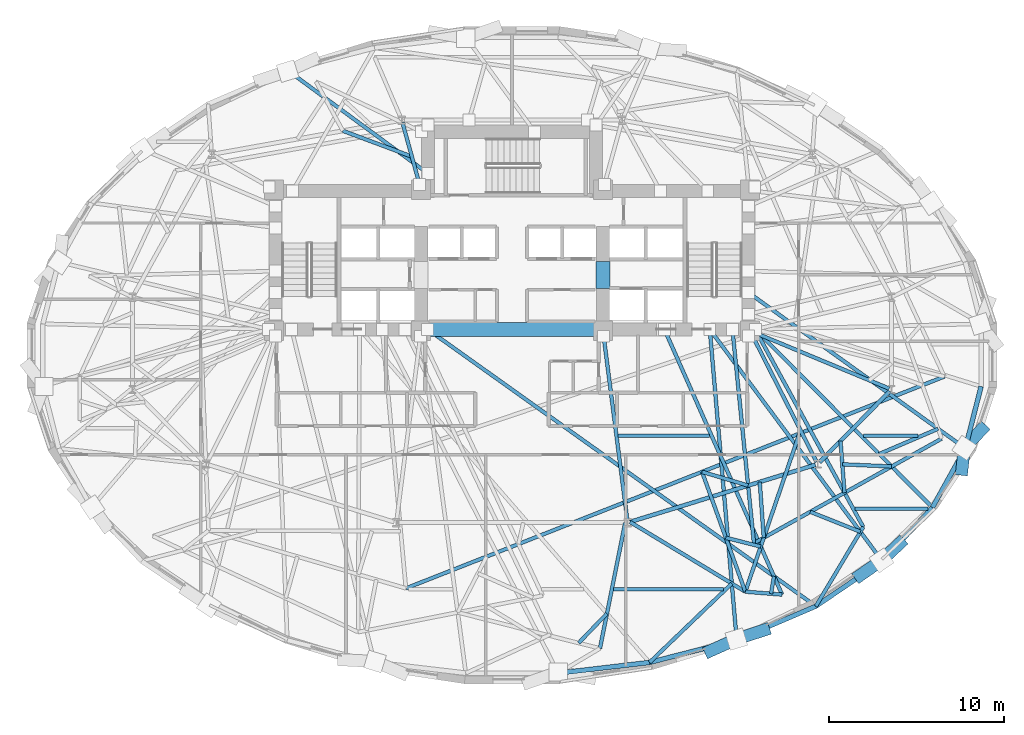
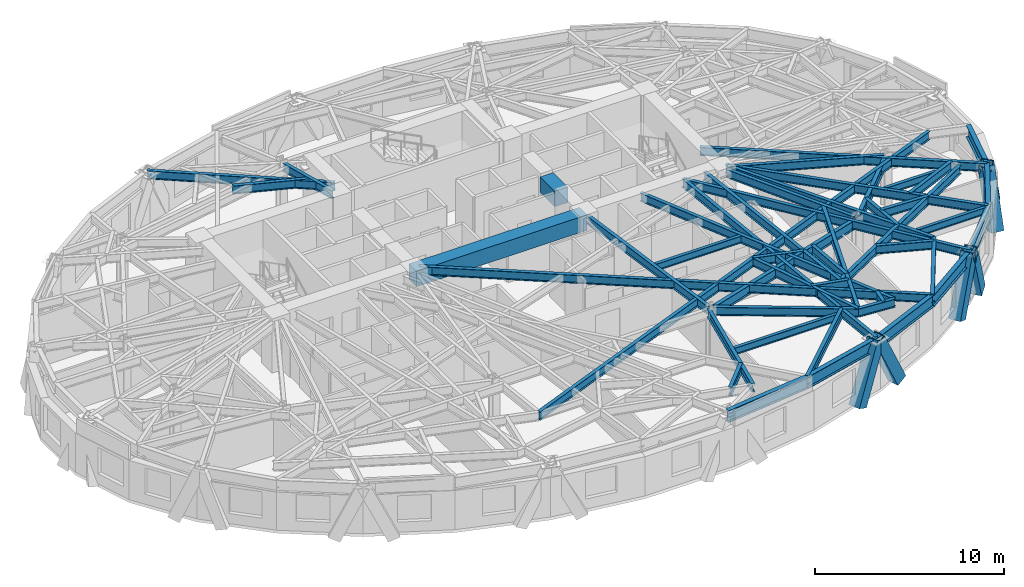
# One storey, part 3 of 15: 47 beams, 6 members.
"""IFC4 building model written with IfcOpenShell, lengths in metres."""

from ifc_helpers import new_model, si_unit, direction, frame, origin, origin_2d, place, context, subcontext, project, spatial, rectangle, hollow_rectangle, i_section, extrude, material, material_profile, profile_set, type_object, element, save


model = new_model("IFC4")

# Units and contexts
model_context = context("Model", 3, precision=1e-05, world=origin(), true_north=direction((0.0, 1.0)))
body_context = subcontext(model_context, "Body", "Model", "MODEL_VIEW")
ifc_project = project(units=[si_unit("LENGTHUNIT", "METRE"), si_unit("AREAUNIT", "SQUARE_METRE"), si_unit("VOLUMEUNIT", "CUBIC_METRE"), si_unit("PLANEANGLEUNIT", "RADIAN"), si_unit("MASSUNIT", "GRAM", prefix="KILO")], contexts=[model_context])

# Site, building, storey
site_placement = place(None, origin())
site = spatial("IfcSite", under=ifc_project, at=site_placement, CompositionType="ELEMENT")
building_placement = place(site_placement, origin())
building = spatial("IfcBuilding", under=site, at=building_placement, Name="Keldmark Tower", CompositionType="ELEMENT")
storey_placement = place(building_placement, frame((0.0, 0.0, 110.60009765625)))
storey = spatial("IfcBuildingStorey", under=building, at=storey_placement, Name="L29", CompositionType="ELEMENT", Elevation=110.60009765625)

# Beams
ifc_material_1 = material(Name="Steel ASTM A992 Grade 50", Category="steel")
ifc_material_profile_1 = material_profile(ifc_material_1, i_section(OverallWidth=0.19091796875, OverallDepth=0.45703125, WebThickness=0.009033203125, FlangeThickness=0.014404296875, at=origin_2d()), Name="W18X50")
ifc_profile_set_1 = profile_set([ifc_material_profile_1], Name="Steel ASTM A992 Grade 50")
beam_type_1 = type_object("IfcBeamType", Name="Composite Floor Joist W18X50", PredefinedType="JOIST", material=ifc_profile_set_1)
beam_1_placement = place(storey_placement, frame((5.8076171875, -13.3798828125, 3.081298828125), z_axis=(1.0, 0.0, 0.0), x_axis=(0.0, 1.0, 0.0)))
element("IfcBeam", 1, at=beam_1_placement, inside=storey, type_object=beam_type_1, Name="L29 Composite Floor Joist J03", PredefinedType="JOIST", context=body_context, shape_type="SweptSolid", body=[
    extrude(i_section(OverallWidth=0.19091796875, OverallDepth=0.45703125, WebThickness=0.009033203125, FlangeThickness=0.014404296875, at=origin_2d()), origin(), (0.0, 0.0, 1.0), 6.28271484375),
])
beam_2_placement = place(storey_placement, frame((19.620849609375, -8.780029296875, 3.081298828125), z_axis=(1.0, 0.0, 0.0), x_axis=(0.0, 1.0, 0.0)))
element("IfcBeam", 2, at=beam_2_placement, inside=storey, type_object=beam_type_1, Name="L29 Composite Floor Joist J04", PredefinedType="JOIST", context=body_context, shape_type="SweptSolid", body=[
    extrude(i_section(OverallWidth=0.19091796875, OverallDepth=0.45703125, WebThickness=0.009033203125, FlangeThickness=0.014404296875, at=origin_2d()), origin(), (0.0, 0.0, 1.0), 4.17724609375),
])
beam_3_placement = place(storey_placement, frame((6.06884765625, -4.60009765625, 3.081298828125), z_axis=(1.0, 0.0, 0.0), x_axis=(0.0, 1.0, 0.0)))
element("IfcBeam", 3, at=beam_3_placement, inside=storey, type_object=beam_type_1, Name="L29 Composite Floor Joist J06", PredefinedType="JOIST", context=body_context, shape_type="SweptSolid", body=[
    extrude(i_section(OverallWidth=0.19091796875, OverallDepth=0.45703125, WebThickness=0.009033203125, FlangeThickness=0.014404296875, at=origin_2d()), origin(), (0.0, 0.0, 1.0), 5.23486328125),
])
beam_4_placement = place(storey_placement, frame((20.08349609375, -4.60009765625, 3.081298828125), z_axis=(1.0, 0.0, 0.0), x_axis=(0.0, 1.0, 0.0)))
element("IfcBeam", 4, at=beam_4_placement, inside=storey, type_object=beam_type_1, Name="L29 Composite Floor Joist J07", PredefinedType="JOIST", context=body_context, shape_type="SweptSolid", body=[
    extrude(i_section(OverallWidth=0.19091796875, OverallDepth=0.45703125, WebThickness=0.009033203125, FlangeThickness=0.014404296875, at=origin_2d()), origin(), (0.0, 0.0, 1.0), 3.118408203125),
])
ifc_material_2 = material(Name="Concrete C70/85", Category="concrete")
ifc_material_profile_2 = material_profile(ifc_material_2, rectangle(XDim=0.800048828125, YDim=1.0, at=origin_2d()), Name="RCB800X1000")
ifc_profile_set_2 = profile_set([ifc_material_profile_2], Name="Concrete C70/85")
beam_type_2 = type_object("IfcBeamType", Name="Core Coupling Beam RCB800X1000", PredefinedType="USERDEFINED", material=ifc_profile_set_2)
beam_5_placement = place(storey_placement, frame((5.199951171875, 3.800048828125, 2.809814453125), z_axis=(0.0, 1.0, 0.0), x_axis=(-1.0, 0.0, 0.0)))
element("IfcBeam", 5, at=beam_5_placement, inside=storey, type_object=beam_type_2, Name="L29 East Core Coupling Beam", ObjectType="COUPLING BEAM", PredefinedType="USERDEFINED", context=body_context, shape_type="SweptSolid", body=[
    extrude(rectangle(XDim=0.800048828125, YDim=1.0, at=origin_2d()), origin(), (0.0, 0.0, 1.0), 1.550048828125),
])
beam_6_placement = place(storey_placement, frame((-5.199951171875, 1.47509765625, 2.809814453125), z_axis=(1.0, 0.0, 0.0), x_axis=(0.0, 1.0, 0.0)))
element("IfcBeam", 6, at=beam_6_placement, inside=storey, type_object=beam_type_2, Name="L29 Central South Core Coupling Beam", ObjectType="COUPLING BEAM", PredefinedType="USERDEFINED", context=body_context, shape_type="SweptSolid", body=[
    extrude(rectangle(XDim=0.800048828125, YDim=1.0, at=origin_2d()), origin(), (0.0, 0.0, 1.0), 10.39990234375),
])

# Members
ifc_material_3 = material(Name="Steel ASTM A572 Grade 50", Category="steel")
ifc_material_profile_3 = material_profile(ifc_material_3, hollow_rectangle(XDim=0.699951171875, YDim=0.699951171875, WallThickness=0.044921875, at=origin_2d()), Name="BOX700X700X45")
ifc_profile_set_3 = profile_set([ifc_material_profile_3], Name="Steel ASTM A572 Grade 50")
member_type = type_object("IfcMemberType", Name="Diagrid Zone 2 Brace BOX700X700X45", PredefinedType="BRACE", material=ifc_profile_set_3)
member_1_placement = place(storey_placement, frame((11.321044921875, -16.91455078125, -0.27001953125), z_axis=(0.393553094154, 0.176468647201, 0.902205507984), x_axis=(-0.409149138835, 0.91246752391, 0.0)))
element("IfcMember", 7, at=member_1_placement, inside=storey, type_object=member_type, Name="L29 Perimeter Diagrid Brace 13B", PredefinedType="BRACE", context=body_context, shape_type="SweptSolid", body=[
    extrude(hollow_rectangle(XDim=0.699951171875, YDim=0.699951171875, WallThickness=0.044921875, at=origin_2d()), origin(), (0.0, 0.0, 1.0), 3.8349609375),
])
member_2_placement = place(storey_placement, frame((14.4248046875, -15.7138671875, -0.27001953125), z_axis=(-0.416924151508, -0.137262893554, 0.898517195129), x_axis=(0.312715675163, -0.949846780543, 0.0)))
element("IfcMember", 8, at=member_2_placement, inside=storey, type_object=member_type, Name="L29 Perimeter Diagrid Brace 14A", PredefinedType="BRACE", context=body_context, shape_type="SweptSolid", body=[
    extrude(hollow_rectangle(XDim=0.699951171875, YDim=0.699951171875, WallThickness=0.044921875, at=origin_2d()), origin(), (0.0, 0.0, 1.0), 3.850830078125),
])
member_3_placement = place(storey_placement, frame((19.885009765625, -12.6005859375, -0.27001953125), z_axis=(0.330304829157, 0.229591895722, 0.915525139608), x_axis=(-0.570753895875, 0.821121178843, 0.0)))
element("IfcMember", 9, at=member_3_placement, inside=storey, type_object=member_type, Name="L29 Perimeter Diagrid Brace 14B", PredefinedType="BRACE", context=body_context, shape_type="SweptSolid", body=[
    extrude(hollow_rectangle(XDim=0.699951171875, YDim=0.699951171875, WallThickness=0.044921875, at=origin_2d()), origin(), (0.0, 0.0, 1.0), 3.779296875),
])
member_4_placement = place(storey_placement, frame((22.177490234375, -10.7548828125, -0.27001953125), z_axis=(-0.28076981606, -0.263119938966, 0.923003904709), x_axis=(0.683800361461, -0.729669148084, 0.0)))
element("IfcMember", 10, at=member_4_placement, inside=storey, type_object=member_type, Name="L29 Perimeter Diagrid Brace 15A", PredefinedType="BRACE", context=body_context, shape_type="SweptSolid", body=[
    extrude(hollow_rectangle(XDim=0.699951171875, YDim=0.699951171875, WallThickness=0.044921875, at=origin_2d()), origin(), (0.0, 0.0, 1.0), 3.74853515625),
])
member_5_placement = place(storey_placement, frame((25.7265625, -6.5419921875, -0.27001953125), z_axis=(0.037569028403, 0.337191986378, 0.940685990343), x_axis=(-0.99385028729, 0.110732138308, 0.0)))
element("IfcMember", 11, at=member_5_placement, inside=storey, type_object=member_type, Name="L29 Perimeter Diagrid Brace 15B", PredefinedType="BRACE", context=body_context, shape_type="SweptSolid", body=[
    extrude(hollow_rectangle(XDim=0.699951171875, YDim=0.699951171875, WallThickness=0.044921875, at=origin_2d()), origin(), (0.0, 0.0, 1.0), 3.67822265625),
])
member_6_placement = place(storey_placement, frame((26.863037109375, -4.235595703125, -0.27001953125), z_axis=(-0.26674302926, -0.286417600308, 0.920224491401), x_axis=(0.73179410831, -0.681525775773, 0.0)))
element("IfcMember", 12, at=member_6_placement, inside=storey, type_object=member_type, Name="L29 Perimeter Diagrid Brace 16A", PredefinedType="BRACE", context=body_context, shape_type="SweptSolid", body=[
    extrude(hollow_rectangle(XDim=0.699951171875, YDim=0.699951171875, WallThickness=0.044921875, at=origin_2d()), origin(), (0.0, 0.0, 1.0), 3.760009765625),
])

# Beams
ifc_material_4 = material(Name="Steel ASTM A992 Grade 50", Category="steel")
ifc_material_profile_4 = material_profile(ifc_material_4, i_section(OverallWidth=0.22900390625, OverallDepth=0.612060546875, WebThickness=0.011962890625, FlangeThickness=0.01953125, at=origin_2d()), Name="W24X84")
ifc_profile_set_4 = profile_set([ifc_material_profile_4], Name="Steel ASTM A992 Grade 50")
beam_type_3 = type_object("IfcBeamType", Name="Primary Floor Girder W24X84", PredefinedType="BEAM", material=ifc_profile_set_4)
beam_7_placement = place(storey_placement, frame((6.74658203125, -9.5380859375, 3.00390625), z_axis=(0.955607954968, 0.294641199432, 0.0), x_axis=(-0.294641199432, 0.955607954968, 0.0)))
element("IfcBeam", 13, at=beam_7_placement, inside=storey, type_object=beam_type_3, Name="L29 Floor Ring Girder FG-R10", PredefinedType="BEAM", context=body_context, shape_type="SweptSolid", body=[
    extrude(i_section(OverallWidth=0.22900390625, OverallDepth=0.612060546875, WebThickness=0.011962890625, FlangeThickness=0.01953125, at=origin_2d()), origin(), (0.0, 0.0, 1.0), 11.089111328125),
])
beam_8_placement = place(storey_placement, frame((17.57568359375, -6.130126953125, 3.00390625), z_axis=(0.703425791323, 0.71076870788, 0.0), x_axis=(-0.71076870788, 0.703425791323, 0.0)))
element("IfcBeam", 14, at=beam_8_placement, inside=storey, type_object=beam_type_3, Name="L29 Floor Ring Girder FG-R11", PredefinedType="BEAM", context=body_context, shape_type="SweptSolid", body=[
    extrude(i_section(OverallWidth=0.22900390625, OverallDepth=0.612060546875, WebThickness=0.011962890625, FlangeThickness=0.01953125, at=origin_2d()), origin(), (0.0, 0.0, 1.0), 5.71875),
])
ifc_material_5 = material(Name="Steel ASTM A992 Grade 50", Category="steel")
ifc_material_profile_5 = material_profile(ifc_material_5, i_section(OverallWidth=0.2099609375, OverallDepth=0.537109375, WebThickness=0.010986328125, FlangeThickness=0.017333984375, at=origin_2d()), Name="W21X68")
ifc_profile_set_5 = profile_set([ifc_material_profile_5], Name="Steel ASTM A992 Grade 50")
beam_type_4 = type_object("IfcBeamType", Name="Radial Tie Girder W21X68", PredefinedType="BEAM", material=ifc_profile_set_5)
beam_9_placement = place(storey_placement, frame((-6.26171875, 13.297607421875, 3.04150390625), z_axis=(0.265997186795, -0.963973804944, 0.0), x_axis=(0.963973804944, 0.265997186795, 0.0)))
element("IfcBeam", 15, at=beam_9_placement, inside=storey, type_object=beam_type_4, Name="L29 Floor Radial Girder FG-C04", PredefinedType="BEAM", context=body_context, shape_type="SweptSolid", body=[
    extrude(i_section(OverallWidth=0.2099609375, OverallDepth=0.537109375, WebThickness=0.010986328125, FlangeThickness=0.017333984375, at=origin_2d()), origin(), (0.0, 0.0, 1.0), 3.67138671875),
])
beam_10_placement = place(storey_placement, frame((6.594970703125, -9.4404296875, 3.04150390625), z_axis=(-0.127642040045, 0.991820301069, 0.0), x_axis=(-0.991820301069, -0.127642040045, 0.0)))
element("IfcBeam", 16, at=beam_10_placement, inside=storey, type_object=beam_type_4, Name="L29 Floor Radial Girder FG-C10", PredefinedType="BEAM", context=body_context, shape_type="SweptSolid", body=[
    extrude(i_section(OverallWidth=0.2099609375, OverallDepth=0.537109375, WebThickness=0.010986328125, FlangeThickness=0.017333984375, at=origin_2d()), origin(), (0.0, 0.0, 1.0), 10.609619140625),
])
beam_11_placement = place(storey_placement, frame((17.413818359375, -6.104736328125, 3.04150390625), z_axis=(-0.453028637759, 0.891495963743, 0.0), x_axis=(-0.891495963743, -0.453028637759, 0.0)))
element("IfcBeam", 17, at=beam_11_placement, inside=storey, type_object=beam_type_4, Name="L29 Floor Radial Girder FG-C11", PredefinedType="BEAM", context=body_context, shape_type="SweptSolid", body=[
    extrude(i_section(OverallWidth=0.2099609375, OverallDepth=0.537109375, WebThickness=0.010986328125, FlangeThickness=0.017333984375, at=origin_2d()), origin(), (0.0, 0.0, 1.0), 8.09814453125),
])
beam_12_placement = place(storey_placement, frame((21.567626953125, -1.912109375, 3.04150390625), z_axis=(-0.923397393633, 0.383845350932, 0.0), x_axis=(-0.383845350932, -0.923397393633, 0.0)))
element("IfcBeam", 18, at=beam_12_placement, inside=storey, type_object=beam_type_4, Name="L29 Floor Radial Girder FG-C12", PredefinedType="BEAM", context=body_context, shape_type="SweptSolid", body=[
    extrude(i_section(OverallWidth=0.2099609375, OverallDepth=0.537109375, WebThickness=0.010986328125, FlangeThickness=0.017333984375, at=origin_2d()), origin(), (0.0, 0.0, 1.0), 8.30859375),
])
beam_13_placement = place(storey_placement, frame((-5.724609375, 11.35107421875, 3.04150390625), z_axis=(-0.936707270726, 0.350113537255, 0.0), x_axis=(-0.350113537255, -0.936707270726, 0.0)))
element("IfcBeam", 19, at=beam_13_placement, inside=storey, type_object=beam_type_4, Name="L29 Framing Pin Header PH-002", PredefinedType="BEAM", context=body_context, shape_type="SweptSolid", body=[
    extrude(i_section(OverallWidth=0.2099609375, OverallDepth=0.537109375, WebThickness=0.010986328125, FlangeThickness=0.017333984375, at=origin_2d()), origin(), (0.0, 0.0, 1.0), 4.213134765625),
])
beam_14_placement = place(storey_placement, frame((-6.06494140625, -13.332763671875, 3.04150390625), z_axis=(0.930600984166, 0.366035255499, 0.0), x_axis=(-0.366035255499, 0.930600984166, 0.0)))
element("IfcBeam", 20, at=beam_14_placement, inside=storey, type_object=beam_type_4, Name="L29 Perimeter Collector Ring Beam CRG1-M09", PredefinedType="BEAM", context=body_context, shape_type="SweptSolid", body=[
    extrude(i_section(OverallWidth=0.2099609375, OverallDepth=0.537109375, WebThickness=0.010986328125, FlangeThickness=0.017333984375, at=origin_2d()), origin(), (0.0, 0.0, 1.0), 33.081298828125),
])
beam_15_placement = place(storey_placement, frame((10.866943359375, -6.6728515625, 3.04150390625), z_axis=(0.958520607774, -0.285023234968, 0.0), x_axis=(0.285023234968, 0.958520607774, 0.0)))
element("IfcBeam", 21, at=beam_15_placement, inside=storey, type_object=beam_type_4, Name="L29 Framing Pin Header PH-014", PredefinedType="BEAM", context=body_context, shape_type="SweptSolid", body=[
    extrude(i_section(OverallWidth=0.2099609375, OverallDepth=0.537109375, WebThickness=0.010986328125, FlangeThickness=0.017333984375, at=origin_2d()), origin(), (0.0, 0.0, 1.0), 2.7470703125),
])
beam_16_placement = place(storey_placement, frame((12.603515625, 1.47509765625, 3.04150390625), z_axis=(0.099891138744, -0.994998372059, 0.0), x_axis=(0.994998372059, 0.099891138744, 0.0)))
element("IfcBeam", 22, at=beam_16_placement, inside=storey, type_object=beam_type_4, Name="L29 Sub-Ring Step Girder STP2-M11", PredefinedType="BEAM", context=body_context, shape_type="SweptSolid", body=[
    extrude(i_section(OverallWidth=0.2099609375, OverallDepth=0.537109375, WebThickness=0.010986328125, FlangeThickness=0.017333984375, at=origin_2d()), origin(), (0.0, 0.0, 1.0), 12.291259765625),
])
beam_17_placement = place(storey_placement, frame((13.831298828125, -10.754638671875, 3.04150390625), z_axis=(0.873528504175, 0.486772998834, 0.0), x_axis=(-0.486772998834, 0.873528504175, 0.0)))
element("IfcBeam", 23, at=beam_17_placement, inside=storey, type_object=beam_type_4, Name="L29 Perimeter Collector Ring Beam CRG2-M11", PredefinedType="BEAM", context=body_context, shape_type="SweptSolid", body=[
    extrude(i_section(OverallWidth=0.2099609375, OverallDepth=0.537109375, WebThickness=0.010986328125, FlangeThickness=0.017333984375, at=origin_2d()), origin(), (0.0, 0.0, 1.0), 12.285400390625),
])
beam_18_placement = place(storey_placement, frame((-4.800048828125, 10.38330078125, 3.04150390625), z_axis=(-0.805901810485, 0.592049214049, 0.0), x_axis=(-0.592049214049, -0.805901810485, 0.0)))
element("IfcBeam", 24, at=beam_18_placement, inside=storey, type_object=beam_type_4, Name="L29 Perimeter Radial Tie Girder RT-11", PredefinedType="BEAM", context=body_context, shape_type="SweptSolid", body=[
    extrude(i_section(OverallWidth=0.2099609375, OverallDepth=0.537109375, WebThickness=0.010986328125, FlangeThickness=0.017333984375, at=origin_2d()), origin(), (0.0, 0.0, 1.0), 9.98583984375),
])
beam_19_placement = place(storey_placement, frame((14.164306640625, -7.2509765625, 3.04150390625), z_axis=(0.072147680082, -0.997393960408, 0.0), x_axis=(0.997393960408, 0.072147680082, 0.0)))
element("IfcBeam", 25, at=beam_19_placement, inside=storey, type_object=beam_type_4, Name="L29 Framing Pin Header PH-040", PredefinedType="BEAM", context=body_context, shape_type="SweptSolid", body=[
    extrude(i_section(OverallWidth=0.2099609375, OverallDepth=0.537109375, WebThickness=0.010986328125, FlangeThickness=0.017333984375, at=origin_2d()), origin(), (0.0, 0.0, 1.0), 3.19775390625),
])
beam_20_placement = place(storey_placement, frame((16.49658203125, -4.2998046875, 3.04150390625), z_axis=(-0.323782059606, -0.946131691615, 0.0), x_axis=(0.946131691615, -0.323782059606, 0.0)))
element("IfcBeam", 26, at=beam_20_placement, inside=storey, type_object=beam_type_4, Name="L29 Intermediate Radial Step Girder RT-27M", PredefinedType="BEAM", context=body_context, shape_type="SweptSolid", body=[
    extrude(i_section(OverallWidth=0.2099609375, OverallDepth=0.537109375, WebThickness=0.010986328125, FlangeThickness=0.017333984375, at=origin_2d()), origin(), (0.0, 0.0, 1.0), 9.750244140625),
])
beam_21_placement = place(storey_placement, frame((10.866943359375, -6.6728515625, 3.04150390625), z_axis=(0.339438562265, -0.940628227541, 0.0), x_axis=(0.940628227541, 0.339438562265, 0.0)))
element("IfcBeam", 27, at=beam_21_placement, inside=storey, type_object=beam_type_4, Name="L29 Local Collector Chord RT-27C", PredefinedType="BEAM", context=body_context, shape_type="SweptSolid", body=[
    extrude(i_section(OverallWidth=0.2099609375, OverallDepth=0.537109375, WebThickness=0.010986328125, FlangeThickness=0.017333984375, at=origin_2d()), origin(), (0.0, 0.0, 1.0), 7.28466796875),
])
beam_22_placement = place(storey_placement, frame((12.226806640625, -10.441650390625, 3.04150390625), z_axis=(0.969806658636, -0.24387505995, 0.0), x_axis=(0.24387505995, 0.969806658636, 0.0)))
element("IfcBeam", 28, at=beam_22_placement, inside=storey, type_object=beam_type_4, Name="L29 Framing Pin Header PH-041", PredefinedType="BEAM", context=body_context, shape_type="SweptSolid", body=[
    extrude(i_section(OverallWidth=0.2099609375, OverallDepth=0.537109375, WebThickness=0.010986328125, FlangeThickness=0.017333984375, at=origin_2d()), origin(), (0.0, 0.0, 1.0), 2.058349609375),
])
beam_23_placement = place(storey_placement, frame((8.71435546875, 1.47509765625, 3.04150390625), z_axis=(0.405477564804, -0.914104996398, 0.0), x_axis=(0.914104996398, 0.405477564804, 0.0)))
element("IfcBeam", 29, at=beam_23_placement, inside=storey, type_object=beam_type_4, Name="L29 Intermediate Radial Step Girder RT-28M", PredefinedType="BEAM", context=body_context, shape_type="SweptSolid", body=[
    extrude(i_section(OverallWidth=0.2099609375, OverallDepth=0.537109375, WebThickness=0.010986328125, FlangeThickness=0.017333984375, at=origin_2d()), origin(), (0.0, 0.0, 1.0), 16.591552734375),
])
beam_24_placement = place(storey_placement, frame((13.339599609375, -13.52490234375, 3.04150390625), z_axis=(0.996878277866, -0.078953778365, 0.0), x_axis=(0.078953778365, 0.996878277866, 0.0)))
element("IfcBeam", 30, at=beam_24_placement, inside=storey, type_object=beam_type_4, Name="L29 Local Collector Chord RT-28C", PredefinedType="BEAM", context=body_context, shape_type="SweptSolid", body=[
    extrude(i_section(OverallWidth=0.2099609375, OverallDepth=0.537109375, WebThickness=0.010986328125, FlangeThickness=0.017333984375, at=origin_2d()), origin(), (0.0, 0.0, 1.0), 2.10888671875),
])
beam_25_placement = place(storey_placement, frame((14.811279296875, -13.6416015625, 3.04150390625), z_axis=(0.163577326865, 0.986530515562, 0.0), x_axis=(-0.986530515562, 0.163577326865, 0.0)))
element("IfcBeam", 31, at=beam_25_placement, inside=storey, type_object=beam_type_4, Name="L29 Framing Pin Header PH-042", PredefinedType="BEAM", context=body_context, shape_type="SweptSolid", body=[
    extrude(i_section(OverallWidth=0.2099609375, OverallDepth=0.537109375, WebThickness=0.010986328125, FlangeThickness=0.017333984375, at=origin_2d()), origin(), (0.0, 0.0, 1.0), 1.011962890625),
])
beam_26_placement = place(storey_placement, frame((-4.824951171875, 1.47509765625, 3.04150390625), z_axis=(0.814235946327, -0.580534084881, 0.0), x_axis=(0.580534084881, 0.814235946327, 0.0)))
element("IfcBeam", 32, at=beam_26_placement, inside=storey, type_object=beam_type_4, Name="L29 Perimeter Radial Tie Girder RT-28", PredefinedType="BEAM", context=body_context, shape_type="SweptSolid", body=[
    extrude(i_section(OverallWidth=0.2099609375, OverallDepth=0.537109375, WebThickness=0.010986328125, FlangeThickness=0.017333984375, at=origin_2d()), origin(), (0.0, 0.0, 1.0), 27.2646484375),
])
beam_27_placement = place(storey_placement, frame((18.78271484375, -4.91064453125, 3.04150390625), z_axis=(0.077206323668, -0.99701513709, 0.0), x_axis=(0.99701513709, 0.077206323668, 0.0)))
element("IfcBeam", 33, at=beam_27_placement, inside=storey, type_object=beam_type_4, Name="L29 Framing Pin Header PH-043", PredefinedType="BEAM", context=body_context, shape_type="SweptSolid", body=[
    extrude(i_section(OverallWidth=0.2099609375, OverallDepth=0.537109375, WebThickness=0.010986328125, FlangeThickness=0.017333984375, at=origin_2d()), origin(), (0.0, 0.0, 1.0), 2.966064453125),
])
beam_28_placement = place(storey_placement, frame((13.89990234375, 1.47509765625, 3.04150390625), z_axis=(0.479977571641, -0.877280759348, 0.0), x_axis=(0.877280759348, 0.479977571641, 0.0)))
element("IfcBeam", 34, at=beam_28_placement, inside=storey, type_object=beam_type_4, Name="L29 Intermediate Radial Step Girder RT-29M", PredefinedType="BEAM", context=body_context, shape_type="SweptSolid", body=[
    extrude(i_section(OverallWidth=0.2099609375, OverallDepth=0.537109375, WebThickness=0.010986328125, FlangeThickness=0.017333984375, at=origin_2d()), origin(), (0.0, 0.0, 1.0), 12.884033203125),
])
beam_29_placement = place(storey_placement, frame((17.375, -14.35302734375, 3.04150390625), z_axis=(0.513644565212, 0.858003065628, 0.0), x_axis=(-0.858003065628, 0.513644565212, 0.0)))
element("IfcBeam", 35, at=beam_29_placement, inside=storey, type_object=beam_type_4, Name="L29 Local Collector Chord RT-29C", PredefinedType="BEAM", context=body_context, shape_type="SweptSolid", body=[
    extrude(i_section(OverallWidth=0.2099609375, OverallDepth=0.537109375, WebThickness=0.010986328125, FlangeThickness=0.017333984375, at=origin_2d()), origin(), (0.0, 0.0, 1.0), 5.27392578125),
])
beam_30_placement = place(storey_placement, frame((17.05078125, -8.960693359375, 3.04150390625), z_axis=(0.929514370326, -0.368785893653, 0.0), x_axis=(0.368785893653, 0.929514370326, 0.0)))
element("IfcBeam", 36, at=beam_30_placement, inside=storey, type_object=beam_type_4, Name="L29 Framing Pin Header PH-044", PredefinedType="BEAM", context=body_context, shape_type="SweptSolid", body=[
    extrude(i_section(OverallWidth=0.2099609375, OverallDepth=0.537109375, WebThickness=0.010986328125, FlangeThickness=0.017333984375, at=origin_2d()), origin(), (0.0, 0.0, 1.0), 3.08837890625),
])
beam_31_placement = place(storey_placement, frame((11.30712890625, 1.47509765625, 3.04150390625), z_axis=(0.597031115794, -0.802218079311, 0.0), x_axis=(0.802218079311, 0.597031115794, 0.0)))
element("IfcBeam", 37, at=beam_31_placement, inside=storey, type_object=beam_type_4, Name="L29 Perimeter Radial Tie Girder RT-29", PredefinedType="BEAM", context=body_context, shape_type="SweptSolid", body=[
    extrude(i_section(OverallWidth=0.2099609375, OverallDepth=0.537109375, WebThickness=0.010986328125, FlangeThickness=0.017333984375, at=origin_2d()), origin(), (0.0, 0.0, 1.0), 16.522216796875),
])
beam_32_placement = place(storey_placement, frame((18.885498046875, -6.241455078125, 3.04150390625), z_axis=(0.999006886695, -0.04455603591, 0.0), x_axis=(0.04455603591, 0.999006886695, 0.0)))
element("IfcBeam", 38, at=beam_32_placement, inside=storey, type_object=beam_type_4, Name="L29 Framing Pin Header PH-045", PredefinedType="BEAM", context=body_context, shape_type="SweptSolid", body=[
    extrude(i_section(OverallWidth=0.2099609375, OverallDepth=0.537109375, WebThickness=0.010986328125, FlangeThickness=0.017333984375, at=origin_2d()), origin(), (0.0, 0.0, 1.0), 2.82177734375),
])
beam_33_placement = place(storey_placement, frame((13.89990234375, 1.47509765625, 3.04150390625), z_axis=(0.705414239963, -0.708795280781, 0.0), x_axis=(0.708795280781, 0.705414239963, 0.0)))
element("IfcBeam", 39, at=beam_33_placement, inside=storey, type_object=beam_type_4, Name="L29 Perimeter Radial Tie Girder RT-30", PredefinedType="BEAM", context=body_context, shape_type="SweptSolid", body=[
    extrude(i_section(OverallWidth=0.2099609375, OverallDepth=0.537109375, WebThickness=0.010986328125, FlangeThickness=0.017333984375, at=origin_2d()), origin(), (0.0, 0.0, 1.0), 14.36962890625),
])
beam_34_placement = place(storey_placement, frame((20.99560546875, -5.654541015625, 3.04150390625), z_axis=(0.91895864765, 0.394353906928, 0.0), x_axis=(-0.394353906928, 0.91895864765, 0.0)))
element("IfcBeam", 40, at=beam_34_placement, inside=storey, type_object=beam_type_4, Name="L29 Framing Pin Header PH-046", PredefinedType="BEAM", context=body_context, shape_type="SweptSolid", body=[
    extrude(i_section(OverallWidth=0.2099609375, OverallDepth=0.537109375, WebThickness=0.010986328125, FlangeThickness=0.017333984375, at=origin_2d()), origin(), (0.0, 0.0, 1.0), 3.66064453125),
])
beam_35_placement = place(storey_placement, frame((13.52490234375, 3.5712890625, 3.04150390625), z_axis=(0.812195430687, -0.583385449229, 0.0), x_axis=(0.583385449229, 0.812195430687, 0.0)))
element("IfcBeam", 41, at=beam_35_placement, inside=storey, type_object=beam_type_4, Name="L29 Perimeter Radial Tie Girder RT-31", PredefinedType="BEAM", context=body_context, shape_type="SweptSolid", body=[
    extrude(i_section(OverallWidth=0.2099609375, OverallDepth=0.537109375, WebThickness=0.010986328125, FlangeThickness=0.017333984375, at=origin_2d()), origin(), (0.0, 0.0, 1.0), 15.258056640625),
])
beam_36_placement = place(storey_placement, frame((5.029296875, -16.768798828125, 3.04150390625), z_axis=(0.196865184396, 0.980430568257, 0.0), x_axis=(-0.980430568257, 0.196865184396, 0.0)))
element("IfcBeam", 42, at=beam_36_placement, inside=storey, type_object=beam_type_4, Name="L29 Straddling Support Chord RT-26RB", PredefinedType="BEAM", context=body_context, shape_type="SweptSolid", body=[
    extrude(i_section(OverallWidth=0.2099609375, OverallDepth=0.537109375, WebThickness=0.010986328125, FlangeThickness=0.017333984375, at=origin_2d()), origin(), (0.0, 0.0, 1.0), 7.3330078125),
])
beam_37_placement = place(storey_placement, frame((3.8095703125, -16.4599609375, 3.04150390625), z_axis=(0.693233987075, 0.720712591235, 0.0), x_axis=(-0.720712591235, 0.693233987075, 0.0)))
element("IfcBeam", 43, at=beam_37_placement, inside=storey, type_object=beam_type_4, Name="L29 Framing Pin Header PH-049", PredefinedType="BEAM", context=body_context, shape_type="SweptSolid", body=[
    extrude(i_section(OverallWidth=0.2099609375, OverallDepth=0.537109375, WebThickness=0.010986328125, FlangeThickness=0.017333984375, at=origin_2d()), origin(), (0.0, 0.0, 1.0), 2.336669921875),
])
beam_38_placement = place(storey_placement, frame((6.74658203125, -9.5380859375, 3.04150390625), z_axis=(0.855712405936, -0.517451715939, 0.0), x_axis=(0.517451715939, 0.855712405936, 0.0)))
element("IfcBeam", 44, at=beam_38_placement, inside=storey, type_object=beam_type_4, Name="L29 Straddling Support Chord RT-27RB", PredefinedType="BEAM", context=body_context, shape_type="SweptSolid", body=[
    extrude(i_section(OverallWidth=0.2099609375, OverallDepth=0.537109375, WebThickness=0.010986328125, FlangeThickness=0.017333984375, at=origin_2d()), origin(), (0.0, 0.0, 1.0), 7.704833984375),
])
beam_39_placement = place(storey_placement, frame((7.862060546875, -17.57080078125, 3.04150390625), z_axis=(0.72167088414, 0.692236328853, 0.0), x_axis=(-0.692236328853, 0.72167088414, 0.0)))
element("IfcBeam", 45, at=beam_39_placement, inside=storey, type_object=beam_type_4, Name="L29 Framing Pin Header PH-050", PredefinedType="BEAM", context=body_context, shape_type="SweptSolid", body=[
    extrude(i_section(OverallWidth=0.2099609375, OverallDepth=0.537109375, WebThickness=0.010986328125, FlangeThickness=0.017333984375, at=origin_2d()), origin(), (0.0, 0.0, 1.0), 6.519287109375),
])
beam_40_placement = place(storey_placement, frame((11.30712890625, 1.47509765625, 3.04150390625), z_axis=(0.086366192636, -0.996263459517, 0.0), x_axis=(0.996263459517, 0.086366192636, 0.0)))
element("IfcBeam", 46, at=beam_40_placement, inside=storey, type_object=beam_type_4, Name="L29 Perimeter Radial Tie Girder RT-27R", PredefinedType="BEAM", context=body_context, shape_type="SweptSolid", body=[
    extrude(i_section(OverallWidth=0.2099609375, OverallDepth=0.537109375, WebThickness=0.010986328125, FlangeThickness=0.017333984375, at=origin_2d()), origin(), (0.0, 0.0, 1.0), 17.837158203125),
])
ifc_material_6 = material(Name="Steel ASTM A992 Grade 50", Category="steel")
ifc_material_profile_6 = material_profile(ifc_material_6, i_section(OverallWidth=0.26806640625, OverallDepth=0.77001953125, WebThickness=0.015625, FlangeThickness=0.025390625, at=origin_2d()), Name="W30X132")
ifc_profile_set_6 = profile_set([ifc_material_profile_6], Name="Steel ASTM A992 Grade 50")
beam_type_5 = type_object("IfcBeamType", Name="Spandrel Ring Beam W30X132", PredefinedType="SPANDREL", material=ifc_profile_set_6)
beam_41_placement = place(storey_placement, frame((2.6416015625, -18.1826171875, 2.9248046875), z_axis=(0.993202502633, 0.116399264444, 0.0), x_axis=(-0.116399264444, 0.993202502633, 0.0)))
element("IfcBeam", 47, at=beam_41_placement, inside=storey, type_object=beam_type_5, Name="L29 Perimeter Spandrel Ring Beam SRB-25", PredefinedType="SPANDREL", context=body_context, shape_type="SweptSolid", body=[
    extrude(i_section(OverallWidth=0.26806640625, OverallDepth=0.77001953125, WebThickness=0.015625, FlangeThickness=0.025390625, at=origin_2d()), origin(), (0.0, 0.0, 1.0), 5.256103515625),
])
beam_42_placement = place(storey_placement, frame((7.862060546875, -17.57080078125, 2.9248046875), z_axis=(0.968802439575, 0.247834285507, 0.0), x_axis=(-0.247834285507, 0.968802439575, 0.0)))
element("IfcBeam", 48, at=beam_42_placement, inside=storey, type_object=beam_type_5, Name="L29 Perimeter Spandrel Ring Beam SRB-26", PredefinedType="SPANDREL", context=body_context, shape_type="SweptSolid", body=[
    extrude(i_section(OverallWidth=0.26806640625, OverallDepth=0.77001953125, WebThickness=0.015625, FlangeThickness=0.025390625, at=origin_2d()), origin(), (0.0, 0.0, 1.0), 5.146240234375),
])
beam_43_placement = place(storey_placement, frame((12.84765625, -16.29541015625, 2.9248046875), z_axis=(0.918991161346, 0.394278131993, 0.0), x_axis=(-0.394278131993, 0.918991161346, 0.0)))
element("IfcBeam", 49, at=beam_43_placement, inside=storey, type_object=beam_type_5, Name="L29 Perimeter Spandrel Ring Beam SRB-27", PredefinedType="SPANDREL", context=body_context, shape_type="SweptSolid", body=[
    extrude(i_section(OverallWidth=0.26806640625, OverallDepth=0.77001953125, WebThickness=0.015625, FlangeThickness=0.025390625, at=origin_2d()), origin(), (0.0, 0.0, 1.0), 4.926513671875),
])
beam_44_placement = place(storey_placement, frame((17.375, -14.35302734375, 2.9248046875), z_axis=(0.827717717125, 0.561144705719, 0.0), x_axis=(-0.561144705719, 0.827717717125, 0.0)))
element("IfcBeam", 50, at=beam_44_placement, inside=storey, type_object=beam_type_5, Name="L29 Perimeter Spandrel Ring Beam SRB-28", PredefinedType="SPANDREL", context=body_context, shape_type="SweptSolid", body=[
    extrude(i_section(OverallWidth=0.26806640625, OverallDepth=0.77001953125, WebThickness=0.015625, FlangeThickness=0.025390625, at=origin_2d()), origin(), (0.0, 0.0, 1.0), 4.586669921875),
])
beam_45_placement = place(storey_placement, frame((21.17138671875, -11.779296875, 2.9248046875), z_axis=(0.682353469166, 0.73102239577, 0.0), x_axis=(-0.73102239577, 0.682353469166, 0.0)))
element("IfcBeam", 51, at=beam_45_placement, inside=storey, type_object=beam_type_5, Name="L29 Perimeter Spandrel Ring Beam SRB-29", PredefinedType="SPANDREL", context=body_context, shape_type="SweptSolid", body=[
    extrude(i_section(OverallWidth=0.26806640625, OverallDepth=0.77001953125, WebThickness=0.015625, FlangeThickness=0.025390625, at=origin_2d()), origin(), (0.0, 0.0, 1.0), 4.19873046875),
])
beam_46_placement = place(storey_placement, frame((24.036376953125, -8.7099609375, 2.9248046875), z_axis=(0.486312657137, 0.873784870267, 0.0), x_axis=(-0.873784870267, 0.486312657137, 0.0)))
element("IfcBeam", 52, at=beam_46_placement, inside=storey, type_object=beam_type_5, Name="L29 Perimeter Spandrel Ring Beam SRB-30", PredefinedType="SPANDREL", context=body_context, shape_type="SweptSolid", body=[
    extrude(i_section(OverallWidth=0.26806640625, OverallDepth=0.77001953125, WebThickness=0.015625, FlangeThickness=0.025390625, at=origin_2d()), origin(), (0.0, 0.0, 1.0), 3.8681640625),
])
beam_47_placement = place(storey_placement, frame((25.91748046875, -5.330078125, 2.9248046875), z_axis=(0.247172296022, 0.968971545547, 0.0), x_axis=(-0.968971545547, 0.247172296022, 0.0)))
element("IfcBeam", 53, at=beam_47_placement, inside=storey, type_object=beam_type_5, Name="L29 Perimeter Spandrel Ring Beam SRB-31", PredefinedType="SPANDREL", context=body_context, shape_type="SweptSolid", body=[
    extrude(i_section(OverallWidth=0.26806640625, OverallDepth=0.77001953125, WebThickness=0.015625, FlangeThickness=0.025390625, at=origin_2d()), origin(), (0.0, 0.0, 1.0), 3.652587890625),
])

save(model, "model.ifc")
